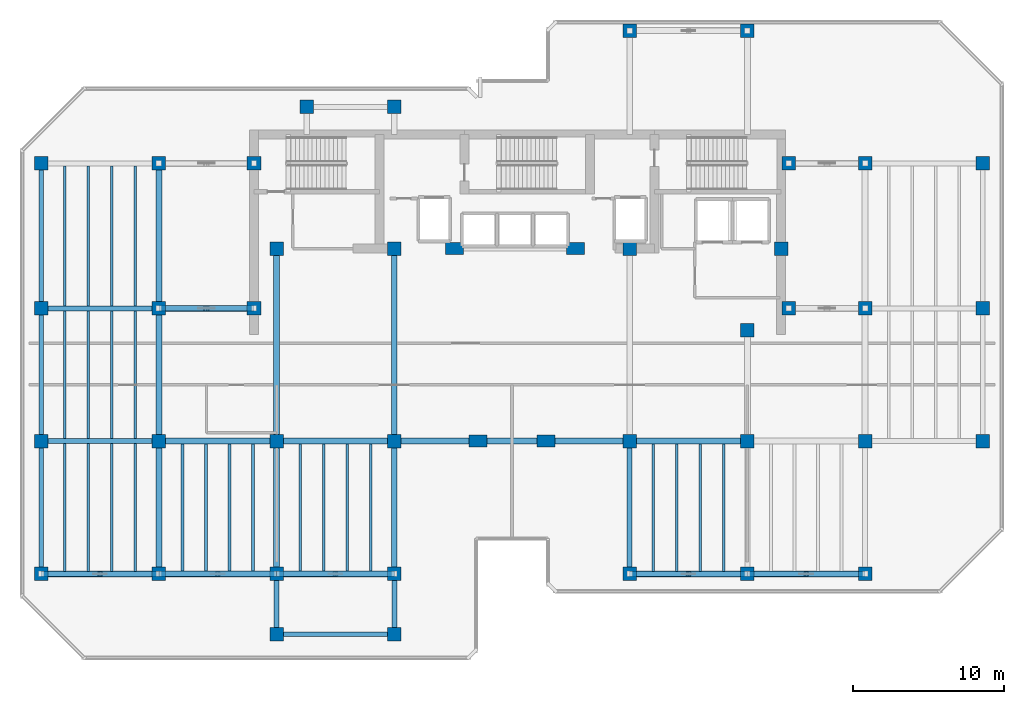
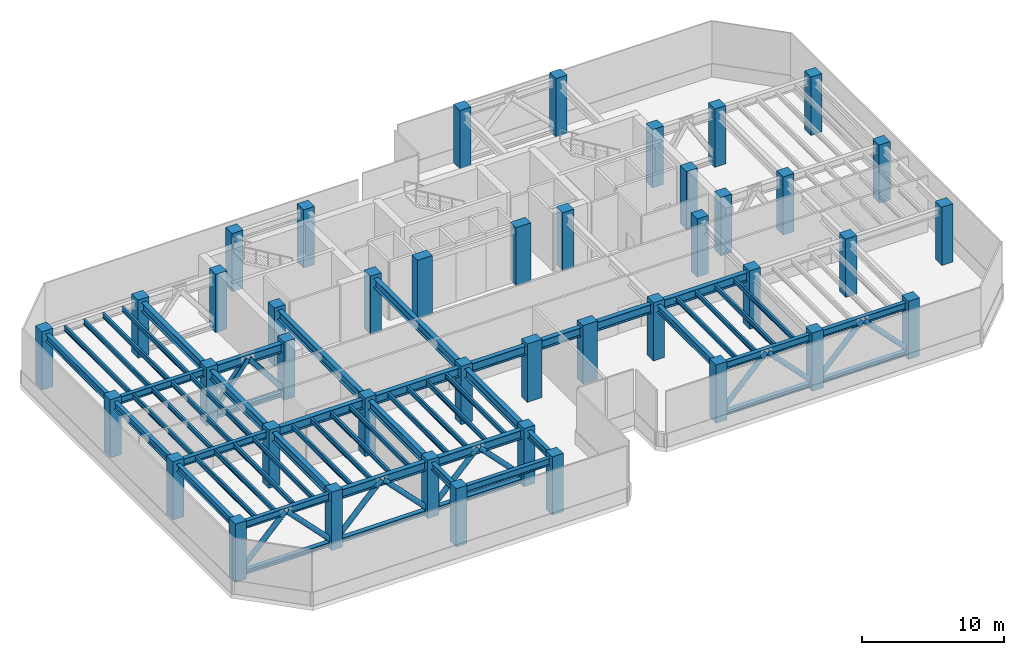
# One storey, part 1 of 9: 52 beams, 42 columns, 18 members.
"""IFC4 building model written with IfcOpenShell, lengths in metres."""

from ifc_helpers import new_model, si_unit, direction, frame, origin, origin_2d, place, context, subcontext, project, spatial, rectangle, hollow_rectangle, hollow_circle, i_section, extrude, material, material_profile, profile_set, type_object, element, save


model = new_model("IFC4")

# Units and contexts
model_context = context("Model", 3, precision=1e-05, world=origin(), true_north=direction((0.0, 1.0)))
body_context = subcontext(model_context, "Body", "Model", "MODEL_VIEW")
ifc_project = project(units=[si_unit("LENGTHUNIT", "METRE"), si_unit("AREAUNIT", "SQUARE_METRE"), si_unit("VOLUMEUNIT", "CUBIC_METRE"), si_unit("PLANEANGLEUNIT", "RADIAN"), si_unit("MASSUNIT", "GRAM", prefix="KILO")], contexts=[model_context])

# Site, building, storey
site_placement = place(None, origin())
site = spatial("IfcSite", under=ifc_project, at=site_placement, CompositionType="ELEMENT")
building_placement = place(site_placement, origin())
building = spatial("IfcBuilding", under=site, at=building_placement, Name="Kestravale Grand Hotel", CompositionType="ELEMENT")
storey_placement = place(building_placement, frame((0.0, 0.0, 240.39990234375)))
storey = spatial("IfcBuildingStorey", under=building, at=storey_placement, Name="L60", CompositionType="ELEMENT", Elevation=240.39990234375)

# Columns
ifc_material_1 = material(Name="Concrete f'c 60 MPa", Category="concrete")
ifc_material_profile_1 = material_profile(ifc_material_1, rectangle(XDim=1.199951171875, YDim=0.800048828125, at=origin_2d()))
ifc_profile_set_1 = profile_set([ifc_material_profile_1], Name="Concrete f'c 60 MPa")
column_type_1 = type_object("IfcColumnType", Name="C-Z3-1200X800", PredefinedType="COLUMN", material=ifc_profile_set_1)
for number, where, z_axis, x_axis, name in (
    (1, (36.75, 20.0, 0.0), (0.0, 0.0, 1.0), (1.0, 0.0, 0.0), "L60 column 6-D"),
    (2, (41.25, 20.0, 0.0), (0.0, 0.0, 1.0), (1.0, 0.0, 0.0), "L60 column 7-D"),
    (3, (35.199951171875, 32.75, 0.0), (0.0, 0.0, 1.0), (1.0, 0.0, 0.0), "L60 column 6C-CS"),
    (4, (43.199951171875, 32.75, 0.0), (0.0, 0.0, 1.0), (1.0, 0.0, 0.0), "L60 column 7C-CS"),
):
    element("IfcColumn", number, at=place(storey_placement, frame(where, z_axis=z_axis, x_axis=x_axis)), inside=storey, type_object=column_type_1, Name=name, PredefinedType="COLUMN", context=body_context, shape_type="SweptSolid", body=[
        extrude(rectangle(XDim=1.199951171875, YDim=0.800048828125, at=origin_2d()), origin(), (0.0, 0.0, 1.0), 5.0),
    ])
ifc_material_2 = material(Name="Concrete f'c 50 MPa", Category="concrete")
ifc_material_profile_2 = material_profile(ifc_material_2, rectangle(XDim=0.89990234375, YDim=0.89990234375, at=origin_2d()))
ifc_profile_set_2 = profile_set([ifc_material_profile_2], Name="Concrete f'c 50 MPa")
column_type_2 = type_object("IfcColumnType", Name="C-Z4-900", PredefinedType="COLUMN", material=ifc_profile_set_2)
for number, where, z_axis, x_axis, name in (
    (5, (7.800048828125, 11.199951171875, 0.0), (0.0, 0.0, 1.0), (1.0, 0.0, 0.0), "L60 column 2-C"),
    (6, (7.800048828125, 20.0, 0.0), (0.0, 0.0, 1.0), (1.0, 0.0, 0.0), "L60 column 2-D"),
    (7, (7.800048828125, 28.800048828125, 0.0), (0.0, 0.0, 1.0), (1.0, 0.0, 0.0), "L60 column 2-E"),
    (8, (7.800048828125, 38.39990234375, 0.0), (0.0, 0.0, 1.0), (1.0, 0.0, 0.0), "L60 column 2-F"),
    (9, (15.60009765625, 11.199951171875, 0.0), (0.0, 0.0, 1.0), (1.0, 0.0, 0.0), "L60 column 3-C"),
    (10, (15.60009765625, 20.0, 0.0), (0.0, 0.0, 1.0), (1.0, 0.0, 0.0), "L60 column 3-D"),
    (11, (15.60009765625, 28.800048828125, 0.0), (0.0, 0.0, 1.0), (1.0, 0.0, 0.0), "L60 column 3-E"),
    (12, (15.60009765625, 38.39990234375, 0.0), (0.0, 0.0, 1.0), (1.0, 0.0, 0.0), "L60 column 3-F"),
    (13, (23.39990234375, 11.199951171875, 0.0), (0.0, 0.0, 1.0), (1.0, 0.0, 0.0), "L60 column 4-C"),
    (14, (23.39990234375, 20.0, 0.0), (0.0, 0.0, 1.0), (1.0, 0.0, 0.0), "L60 column 4-D"),
    (15, (31.199951171875, 11.199951171875, 0.0), (0.0, 0.0, 1.0), (1.0, 0.0, 0.0), "L60 column 5-C"),
    (16, (31.199951171875, 20.0, 0.0), (0.0, 0.0, 1.0), (1.0, 0.0, 0.0), "L60 column 5-D"),
    (17, (46.800048828125, 11.199951171875, 0.0), (0.0, 0.0, 1.0), (1.0, 0.0, 0.0), "L60 column 8-C"),
    (18, (46.800048828125, 20.0, 0.0), (0.0, 0.0, 1.0), (1.0, 0.0, 0.0), "L60 column 8-D"),
    (19, (46.800048828125, 47.199951171875, 0.0), (0.0, 0.0, 1.0), (1.0, 0.0, 0.0), "L60 column 8-G"),
    (20, (54.60009765625, 11.199951171875, 0.0), (0.0, 0.0, 1.0), (1.0, 0.0, 0.0), "L60 column 9-C"),
    (21, (54.60009765625, 20.0, 0.0), (0.0, 0.0, 1.0), (1.0, 0.0, 0.0), "L60 column 9-D"),
    (22, (54.60009765625, 47.199951171875, 0.0), (0.0, 0.0, 1.0), (1.0, 0.0, 0.0), "L60 column 9-G"),
    (23, (62.39990234375, 11.199951171875, 0.0), (0.0, 0.0, 1.0), (1.0, 0.0, 0.0), "L60 column 10-C"),
    (24, (62.39990234375, 20.0, 0.0), (0.0, 0.0, 1.0), (1.0, 0.0, 0.0), "L60 column 10-D"),
    (25, (62.39990234375, 28.800048828125, 0.0), (0.0, 0.0, 1.0), (1.0, 0.0, 0.0), "L60 column 10-E"),
    (26, (62.39990234375, 38.39990234375, 0.0), (0.0, 0.0, 1.0), (1.0, 0.0, 0.0), "L60 column 10-F"),
    (27, (70.199951171875, 20.0, 0.0), (0.0, 0.0, 1.0), (1.0, 0.0, 0.0), "L60 column 11-D"),
    (28, (70.199951171875, 28.800048828125, 0.0), (0.0, 0.0, 1.0), (1.0, 0.0, 0.0), "L60 column 11-E"),
    (29, (70.199951171875, 38.39990234375, 0.0), (0.0, 0.0, 1.0), (1.0, 0.0, 0.0), "L60 column 11-F"),
    (30, (21.89990234375, 28.800048828125, 0.0), (0.0, 0.0, 1.0), (1.0, 0.0, 0.0), "L60 column CW-E"),
    (31, (21.89990234375, 38.39990234375, 0.0), (0.0, 0.0, 1.0), (1.0, 0.0, 0.0), "L60 column CW-F"),
    (32, (57.35009765625, 28.800048828125, 0.0), (0.0, 0.0, 1.0), (1.0, 0.0, 0.0), "L60 column CE-E"),
    (33, (57.35009765625, 38.39990234375, 0.0), (0.0, 0.0, 1.0), (1.0, 0.0, 0.0), "L60 column CE-F"),
    (34, (23.39990234375, 32.75, 0.0), (0.0, 0.0, 1.0), (1.0, 0.0, 0.0), "L60 column 4-CS"),
    (35, (31.199951171875, 32.75, 0.0), (0.0, 0.0, 1.0), (1.0, 0.0, 0.0), "L60 column 5-CS"),
    (36, (46.800048828125, 32.75, 0.0), (0.0, 0.0, 1.0), (1.0, 0.0, 0.0), "L60 column 8-CS"),
    (37, (54.60009765625, 27.35009765625, 0.0), (0.0, 0.0, 1.0), (1.0, 0.0, 0.0), "L60 column 9-CS"),
    (38, (56.85009765625, 32.75, 0.0), (0.0, 0.0, 1.0), (1.0, 0.0, 0.0), "L60 column 9C-CS"),
    (39, (23.39990234375, 7.199951171875, 0.0), (0.0, 0.0, 1.0), (1.0, 0.0, 0.0), "L60 column 4-BS"),
    (40, (31.199951171875, 7.199951171875, 0.0), (0.0, 0.0, 1.0), (1.0, 0.0, 0.0), "L60 column 5-BS"),
    (41, (25.39990234375, 42.14990234375, 0.0), (0.0, 0.0, 1.0), (1.0, 0.0, 0.0), "L60 column 4-FN"),
    (42, (31.199951171875, 42.14990234375, 0.0), (0.0, 0.0, 1.0), (1.0, 0.0, 0.0), "L60 column 5-FN"),
):
    element("IfcColumn", number, at=place(storey_placement, frame(where, z_axis=z_axis, x_axis=x_axis)), inside=storey, type_object=column_type_2, Name=name, PredefinedType="COLUMN", context=body_context, shape_type="SweptSolid", body=[
        extrude(rectangle(XDim=0.89990234375, YDim=0.89990234375, at=origin_2d()), origin(), (0.0, 0.0, 1.0), 5.0),
    ])

# Beams
ifc_material_3 = material(Name="Steel ASTM A992 Grade 50", Category="steel")
ifc_material_profile_3 = material_profile(ifc_material_3, i_section(OverallWidth=0.177978515625, OverallDepth=0.404052734375, WebThickness=0.007568359375, FlangeThickness=0.010986328125, FilletRadius=0.01416015625, at=origin_2d()))
ifc_profile_set_3 = profile_set([ifc_material_profile_3], Name="Steel ASTM A992 Grade 50")
beam_type_1 = type_object("IfcBeamType", Name="B-FLR-JST16", PredefinedType="JOIST", material=ifc_profile_set_3)
for number, where, z_axis, x_axis, name in (
    (43, (9.360107421875, 11.362548828125, 4.508056640625), (0.0, 1.0, 0.0), (-1.0, 0.0, 0.0), "L60 floor joist 2-3/C-D #1"),
    (44, (10.919921875, 11.362548828125, 4.508056640625), (0.0, 1.0, 0.0), (-1.0, 0.0, 0.0), "L60 floor joist 2-3/C-D #2"),
    (45, (12.47998046875, 11.362548828125, 4.508056640625), (0.0, 1.0, 0.0), (-1.0, 0.0, 0.0), "L60 floor joist 2-3/C-D #3"),
    (46, (14.0400390625, 11.362548828125, 4.508056640625), (0.0, 1.0, 0.0), (-1.0, 0.0, 0.0), "L60 floor joist 2-3/C-D #4"),
    (47, (9.360107421875, 20.16259765625, 4.508056640625), (0.0, 1.0, 0.0), (-1.0, 0.0, 0.0), "L60 floor joist 2-3/D-E #1"),
    (48, (10.919921875, 20.16259765625, 4.508056640625), (0.0, 1.0, 0.0), (-1.0, 0.0, 0.0), "L60 floor joist 2-3/D-E #2"),
    (49, (12.47998046875, 20.16259765625, 4.508056640625), (0.0, 1.0, 0.0), (-1.0, 0.0, 0.0), "L60 floor joist 2-3/D-E #3"),
    (50, (14.0400390625, 20.16259765625, 4.508056640625), (0.0, 1.0, 0.0), (-1.0, 0.0, 0.0), "L60 floor joist 2-3/D-E #4"),
):
    element("IfcBeam", number, at=place(storey_placement, frame(where, z_axis=z_axis, x_axis=x_axis)), inside=storey, type_object=beam_type_1, Name=name, PredefinedType="JOIST", context=body_context, shape_type="SweptSolid", body=[
        extrude(i_section(OverallWidth=0.177978515625, OverallDepth=0.404052734375, WebThickness=0.007568359375, FlangeThickness=0.010986328125, FilletRadius=0.01416015625, at=origin_2d()), origin(), (0.0, 0.0, 1.0), 8.474853515625),
    ])
for number, where, z_axis, x_axis, name in (
    (51, (9.360107421875, 28.96240234375, 4.508056640625), (0.0, 1.0, 0.0), (-1.0, 0.0, 0.0), "L60 floor joist 2-3/E-F #1"),
    (52, (10.919921875, 28.96240234375, 4.508056640625), (0.0, 1.0, 0.0), (-1.0, 0.0, 0.0), "L60 floor joist 2-3/E-F #2"),
    (53, (12.47998046875, 28.96240234375, 4.508056640625), (0.0, 1.0, 0.0), (-1.0, 0.0, 0.0), "L60 floor joist 2-3/E-F #3"),
    (54, (14.0400390625, 28.96240234375, 4.508056640625), (0.0, 1.0, 0.0), (-1.0, 0.0, 0.0), "L60 floor joist 2-3/E-F #4"),
):
    element("IfcBeam", number, at=place(storey_placement, frame(where, z_axis=z_axis, x_axis=x_axis)), inside=storey, type_object=beam_type_1, Name=name, PredefinedType="JOIST", context=body_context, shape_type="SweptSolid", body=[
        extrude(i_section(OverallWidth=0.177978515625, OverallDepth=0.404052734375, WebThickness=0.007568359375, FlangeThickness=0.010986328125, FilletRadius=0.01416015625, at=origin_2d()), origin(), (0.0, 0.0, 1.0), 9.275146484375),
    ])
for number, where, z_axis, x_axis, name in (
    (55, (17.159912109375, 11.390380859375, 4.508056640625), (0.0, 1.0, 0.0), (-1.0, 0.0, 0.0), "L60 floor joist 3-4/C-D #1"),
    (56, (18.719970703125, 11.390380859375, 4.508056640625), (0.0, 1.0, 0.0), (-1.0, 0.0, 0.0), "L60 floor joist 3-4/C-D #2"),
    (57, (20.280029296875, 11.390380859375, 4.508056640625), (0.0, 1.0, 0.0), (-1.0, 0.0, 0.0), "L60 floor joist 3-4/C-D #3"),
    (58, (21.840087890625, 11.390380859375, 4.508056640625), (0.0, 1.0, 0.0), (-1.0, 0.0, 0.0), "L60 floor joist 3-4/C-D #4"),
    (59, (24.9599609375, 11.390380859375, 4.508056640625), (0.0, 1.0, 0.0), (-1.0, 0.0, 0.0), "L60 floor joist 4-5/C-D #1"),
    (60, (26.52001953125, 11.390380859375, 4.508056640625), (0.0, 1.0, 0.0), (-1.0, 0.0, 0.0), "L60 floor joist 4-5/C-D #2"),
    (61, (28.080078125, 11.390380859375, 4.508056640625), (0.0, 1.0, 0.0), (-1.0, 0.0, 0.0), "L60 floor joist 4-5/C-D #3"),
    (62, (29.639892578125, 11.390380859375, 4.508056640625), (0.0, 1.0, 0.0), (-1.0, 0.0, 0.0), "L60 floor joist 4-5/C-D #4"),
):
    element("IfcBeam", number, at=place(storey_placement, frame(where, z_axis=z_axis, x_axis=x_axis)), inside=storey, type_object=beam_type_1, Name=name, PredefinedType="JOIST", context=body_context, shape_type="SweptSolid", body=[
        extrude(i_section(OverallWidth=0.177978515625, OverallDepth=0.404052734375, WebThickness=0.007568359375, FlangeThickness=0.010986328125, FilletRadius=0.01416015625, at=origin_2d()), origin(), (0.0, 0.0, 1.0), 8.419189453125),
    ])
for number, where, z_axis, x_axis, name in (
    (63, (48.360107421875, 11.362548828125, 4.508056640625), (0.0, 1.0, 0.0), (-1.0, 0.0, 0.0), "L60 floor joist 8-9/C-D #1"),
    (64, (49.919921875, 11.362548828125, 4.508056640625), (0.0, 1.0, 0.0), (-1.0, 0.0, 0.0), "L60 floor joist 8-9/C-D #2"),
    (65, (51.47998046875, 11.362548828125, 4.508056640625), (0.0, 1.0, 0.0), (-1.0, 0.0, 0.0), "L60 floor joist 8-9/C-D #3"),
    (66, (53.0400390625, 11.362548828125, 4.508056640625), (0.0, 1.0, 0.0), (-1.0, 0.0, 0.0), "L60 floor joist 8-9/C-D #4"),
):
    element("IfcBeam", number, at=place(storey_placement, frame(where, z_axis=z_axis, x_axis=x_axis)), inside=storey, type_object=beam_type_1, Name=name, PredefinedType="JOIST", context=body_context, shape_type="SweptSolid", body=[
        extrude(i_section(OverallWidth=0.177978515625, OverallDepth=0.404052734375, WebThickness=0.007568359375, FlangeThickness=0.010986328125, FilletRadius=0.01416015625, at=origin_2d()), origin(), (0.0, 0.0, 1.0), 8.447021484375),
    ])
ifc_material_4 = material(Name="Steel ASTM A992 Grade 50", Category="steel")
ifc_material_profile_4 = material_profile(ifc_material_4, i_section(OverallWidth=0.324951171875, OverallDepth=0.612060546875, WebThickness=0.0126953125, FlangeThickness=0.01904296875, FilletRadius=0.018798828125, at=origin_2d()))
ifc_profile_set_4 = profile_set([ifc_material_profile_4], Name="Steel ASTM A992 Grade 50")
beam_type_2 = type_object("IfcBeamType", Name="B-FLR-W24A", PredefinedType="SPANDREL", material=ifc_profile_set_4)
for number, where, z_axis, x_axis, name in (
    (67, (7.800048828125, 11.199951171875, 4.404052734375), (1.0, 0.0, 0.0), (0.0, 1.0, 0.0), "L60 spandrel C:2-3"),
    (68, (46.800048828125, 11.199951171875, 4.404052734375), (1.0, 0.0, 0.0), (0.0, 1.0, 0.0), "L60 spandrel C:8-9"),
):
    element("IfcBeam", number, at=place(storey_placement, frame(where, z_axis=z_axis, x_axis=x_axis)), inside=storey, type_object=beam_type_2, Name=name, PredefinedType="SPANDREL", context=body_context, shape_type="SweptSolid", body=[
        extrude(i_section(OverallWidth=0.324951171875, OverallDepth=0.612060546875, WebThickness=0.0126953125, FlangeThickness=0.01904296875, FilletRadius=0.018798828125, at=origin_2d()), origin(), (0.0, 0.0, 1.0), 7.800048828125),
    ])
beam_1_placement = place(storey_placement, frame((54.60009765625, 11.199951171875, 4.404052734375), z_axis=(1.0, 0.0, 0.0), x_axis=(0.0, 1.0, 0.0)))
element("IfcBeam", 69, at=beam_1_placement, inside=storey, type_object=beam_type_2, Name="L60 spandrel C:9-10", PredefinedType="SPANDREL", context=body_context, shape_type="SweptSolid", body=[
    extrude(i_section(OverallWidth=0.324951171875, OverallDepth=0.612060546875, WebThickness=0.0126953125, FlangeThickness=0.01904296875, FilletRadius=0.018798828125, at=origin_2d()), origin(), (0.0, 0.0, 1.0), 7.7998046875),
])
for number, where, z_axis, x_axis, name in (
    (70, (7.800048828125, 20.0, 4.404052734375), (1.0, 0.0, 0.0), (0.0, 1.0, 0.0), "L60 spandrel D:2-3"),
    (71, (7.800048828125, 28.800048828125, 4.404052734375), (1.0, 0.0, 0.0), (0.0, 1.0, 0.0), "L60 spandrel E:2-3"),
    (72, (23.39990234375, 7.199951171875, 4.404052734375), (1.0, 0.0, 0.0), (0.0, 1.0, 0.0), "L60 perimeter tie spandrel BS:4-5"),
):
    element("IfcBeam", number, at=place(storey_placement, frame(where, z_axis=z_axis, x_axis=x_axis)), inside=storey, type_object=beam_type_2, Name=name, PredefinedType="SPANDREL", context=body_context, shape_type="SweptSolid", body=[
        extrude(i_section(OverallWidth=0.324951171875, OverallDepth=0.612060546875, WebThickness=0.0126953125, FlangeThickness=0.01904296875, FilletRadius=0.018798828125, at=origin_2d()), origin(), (0.0, 0.0, 1.0), 7.800048828125),
    ])
for number, where, z_axis, x_axis, name in (
    (73, (7.800048828125, 11.199951171875, 4.404052734375), (0.0, 1.0, 0.0), (-1.0, 0.0, 0.0), "L60 spandrel 2:C-D"),
    (74, (7.800048828125, 20.0, 4.404052734375), (0.0, 1.0, 0.0), (-1.0, 0.0, 0.0), "L60 spandrel 2:D-E"),
):
    element("IfcBeam", number, at=place(storey_placement, frame(where, z_axis=z_axis, x_axis=x_axis)), inside=storey, type_object=beam_type_2, Name=name, PredefinedType="SPANDREL", context=body_context, shape_type="SweptSolid", body=[
        extrude(i_section(OverallWidth=0.324951171875, OverallDepth=0.612060546875, WebThickness=0.0126953125, FlangeThickness=0.01904296875, FilletRadius=0.018798828125, at=origin_2d()), origin(), (0.0, 0.0, 1.0), 8.800048828125),
    ])
beam_2_placement = place(storey_placement, frame((7.800048828125, 28.800048828125, 4.404052734375), z_axis=(0.0, 1.0, 0.0), x_axis=(-1.0, 0.0, 0.0)))
element("IfcBeam", 75, at=beam_2_placement, inside=storey, type_object=beam_type_2, Name="L60 spandrel 2:E-F", PredefinedType="SPANDREL", context=body_context, shape_type="SweptSolid", body=[
    extrude(i_section(OverallWidth=0.324951171875, OverallDepth=0.612060546875, WebThickness=0.0126953125, FlangeThickness=0.01904296875, FilletRadius=0.018798828125, at=origin_2d()), origin(), (0.0, 0.0, 1.0), 9.599853515625),
])
for number, where, z_axis, x_axis, name in (
    (76, (23.39990234375, 7.199951171875, 4.404052734375), (0.0, 1.0, 0.0), (-1.0, 0.0, 0.0), "L60 spandrel 4:BS-C"),
    (77, (31.199951171875, 7.199951171875, 4.404052734375), (0.0, 1.0, 0.0), (-1.0, 0.0, 0.0), "L60 spandrel 5:BS-C"),
):
    element("IfcBeam", number, at=place(storey_placement, frame(where, z_axis=z_axis, x_axis=x_axis)), inside=storey, type_object=beam_type_2, Name=name, PredefinedType="SPANDREL", context=body_context, shape_type="SweptSolid", body=[
        extrude(i_section(OverallWidth=0.324951171875, OverallDepth=0.612060546875, WebThickness=0.0126953125, FlangeThickness=0.01904296875, FilletRadius=0.018798828125, at=origin_2d()), origin(), (0.0, 0.0, 1.0), 4.0),
    ])
beam_3_placement = place(storey_placement, frame((46.800048828125, 11.199951171875, 4.404052734375), z_axis=(0.0, 1.0, 0.0), x_axis=(-1.0, 0.0, 0.0)))
element("IfcBeam", 78, at=beam_3_placement, inside=storey, type_object=beam_type_2, Name="L60 spandrel 8:C-D", PredefinedType="SPANDREL", context=body_context, shape_type="SweptSolid", body=[
    extrude(i_section(OverallWidth=0.324951171875, OverallDepth=0.612060546875, WebThickness=0.0126953125, FlangeThickness=0.01904296875, FilletRadius=0.018798828125, at=origin_2d()), origin(), (0.0, 0.0, 1.0), 8.800048828125),
])
ifc_material_5 = material(Name="Steel ASTM A992 Grade 50", Category="steel")
ifc_material_profile_5 = material_profile(ifc_material_5, i_section(OverallWidth=0.381103515625, OverallDepth=0.77197265625, WebThickness=0.0166015625, FlangeThickness=0.027099609375, FilletRadius=0.023681640625, at=origin_2d()))
ifc_profile_set_5 = profile_set([ifc_material_profile_5], Name="Steel ASTM A992 Grade 50")
beam_type_3 = type_object("IfcBeamType", Name="B-GRD-W30", PredefinedType="BEAM", material=ifc_profile_set_5)
beam_4_placement = place(storey_placement, frame((15.60009765625, 11.199951171875, 4.32421875), z_axis=(1.0, 0.0, 0.0), x_axis=(0.0, 1.0, 0.0)))
element("IfcBeam", 79, at=beam_4_placement, inside=storey, type_object=beam_type_3, Name="L60 girder C:3-4", PredefinedType="BEAM", context=body_context, shape_type="SweptSolid", body=[
    extrude(i_section(OverallWidth=0.381103515625, OverallDepth=0.77197265625, WebThickness=0.0166015625, FlangeThickness=0.027099609375, FilletRadius=0.023681640625, at=origin_2d()), origin(), (0.0, 0.0, 1.0), 7.7998046875),
])
beam_5_placement = place(storey_placement, frame((23.39990234375, 11.199951171875, 4.32421875), z_axis=(1.0, 0.0, 0.0), x_axis=(0.0, 1.0, 0.0)))
element("IfcBeam", 80, at=beam_5_placement, inside=storey, type_object=beam_type_3, Name="L60 girder C:4-5", PredefinedType="BEAM", context=body_context, shape_type="SweptSolid", body=[
    extrude(i_section(OverallWidth=0.381103515625, OverallDepth=0.77197265625, WebThickness=0.0166015625, FlangeThickness=0.027099609375, FilletRadius=0.023681640625, at=origin_2d()), origin(), (0.0, 0.0, 1.0), 7.800048828125),
])
beam_6_placement = place(storey_placement, frame((15.60009765625, 20.0, 4.32421875), z_axis=(1.0, 0.0, 0.0), x_axis=(0.0, 1.0, 0.0)))
element("IfcBeam", 81, at=beam_6_placement, inside=storey, type_object=beam_type_3, Name="L60 girder D:3-4", PredefinedType="BEAM", context=body_context, shape_type="SweptSolid", body=[
    extrude(i_section(OverallWidth=0.381103515625, OverallDepth=0.77197265625, WebThickness=0.0166015625, FlangeThickness=0.027099609375, FilletRadius=0.023681640625, at=origin_2d()), origin(), (0.0, 0.0, 1.0), 7.7998046875),
])
beam_7_placement = place(storey_placement, frame((23.39990234375, 20.0, 4.32421875), z_axis=(1.0, 0.0, 0.0), x_axis=(0.0, 1.0, 0.0)))
element("IfcBeam", 82, at=beam_7_placement, inside=storey, type_object=beam_type_3, Name="L60 girder D:4-5", PredefinedType="BEAM", context=body_context, shape_type="SweptSolid", body=[
    extrude(i_section(OverallWidth=0.381103515625, OverallDepth=0.77197265625, WebThickness=0.0166015625, FlangeThickness=0.027099609375, FilletRadius=0.023681640625, at=origin_2d()), origin(), (0.0, 0.0, 1.0), 7.800048828125),
])
beam_8_placement = place(storey_placement, frame((31.199951171875, 20.0, 4.32421875), z_axis=(1.0, 0.0, 0.0), x_axis=(0.0, 1.0, 0.0)))
element("IfcBeam", 83, at=beam_8_placement, inside=storey, type_object=beam_type_3, Name="L60 girder D:5-6", PredefinedType="BEAM", context=body_context, shape_type="SweptSolid", body=[
    extrude(i_section(OverallWidth=0.381103515625, OverallDepth=0.77197265625, WebThickness=0.0166015625, FlangeThickness=0.027099609375, FilletRadius=0.023681640625, at=origin_2d()), origin(), (0.0, 0.0, 1.0), 5.550048828125),
])
beam_9_placement = place(storey_placement, frame((36.75, 20.0, 4.32421875), z_axis=(1.0, 0.0, 0.0), x_axis=(0.0, 1.0, 0.0)))
element("IfcBeam", 84, at=beam_9_placement, inside=storey, type_object=beam_type_3, Name="L60 girder D:6-7", PredefinedType="BEAM", context=body_context, shape_type="SweptSolid", body=[
    extrude(i_section(OverallWidth=0.381103515625, OverallDepth=0.77197265625, WebThickness=0.0166015625, FlangeThickness=0.027099609375, FilletRadius=0.023681640625, at=origin_2d()), origin(), (0.0, 0.0, 1.0), 4.5),
])
beam_10_placement = place(storey_placement, frame((41.25, 20.0, 4.32421875), z_axis=(1.0, 0.0, 0.0), x_axis=(0.0, 1.0, 0.0)))
element("IfcBeam", 85, at=beam_10_placement, inside=storey, type_object=beam_type_3, Name="L60 girder D:7-8", PredefinedType="BEAM", context=body_context, shape_type="SweptSolid", body=[
    extrude(i_section(OverallWidth=0.381103515625, OverallDepth=0.77197265625, WebThickness=0.0166015625, FlangeThickness=0.027099609375, FilletRadius=0.023681640625, at=origin_2d()), origin(), (0.0, 0.0, 1.0), 5.550048828125),
])
beam_11_placement = place(storey_placement, frame((46.800048828125, 20.0, 4.32421875), z_axis=(1.0, 0.0, 0.0), x_axis=(0.0, 1.0, 0.0)))
element("IfcBeam", 86, at=beam_11_placement, inside=storey, type_object=beam_type_3, Name="L60 girder D:8-9", PredefinedType="BEAM", context=body_context, shape_type="SweptSolid", body=[
    extrude(i_section(OverallWidth=0.381103515625, OverallDepth=0.77197265625, WebThickness=0.0166015625, FlangeThickness=0.027099609375, FilletRadius=0.023681640625, at=origin_2d()), origin(), (0.0, 0.0, 1.0), 7.800048828125),
])
beam_12_placement = place(storey_placement, frame((15.60009765625, 28.800048828125, 4.32421875), z_axis=(1.0, 0.0, 0.0), x_axis=(0.0, 1.0, 0.0)))
element("IfcBeam", 87, at=beam_12_placement, inside=storey, type_object=beam_type_3, Name="L60 girder E:3-CW", PredefinedType="BEAM", context=body_context, shape_type="SweptSolid", body=[
    extrude(i_section(OverallWidth=0.381103515625, OverallDepth=0.77197265625, WebThickness=0.0166015625, FlangeThickness=0.027099609375, FilletRadius=0.023681640625, at=origin_2d()), origin(), (0.0, 0.0, 1.0), 6.2998046875),
])
for number, where, z_axis, x_axis, name in (
    (88, (15.60009765625, 11.199951171875, 4.32421875), (0.0, 1.0, 0.0), (-1.0, 0.0, 0.0), "L60 girder 3:C-D"),
    (89, (15.60009765625, 20.0, 4.32421875), (0.0, 1.0, 0.0), (-1.0, 0.0, 0.0), "L60 girder 3:D-E"),
):
    element("IfcBeam", number, at=place(storey_placement, frame(where, z_axis=z_axis, x_axis=x_axis)), inside=storey, type_object=beam_type_3, Name=name, PredefinedType="BEAM", context=body_context, shape_type="SweptSolid", body=[
        extrude(i_section(OverallWidth=0.381103515625, OverallDepth=0.77197265625, WebThickness=0.0166015625, FlangeThickness=0.027099609375, FilletRadius=0.023681640625, at=origin_2d()), origin(), (0.0, 0.0, 1.0), 8.800048828125),
    ])
beam_13_placement = place(storey_placement, frame((15.60009765625, 28.800048828125, 4.32421875), z_axis=(0.0, 1.0, 0.0), x_axis=(-1.0, 0.0, 0.0)))
element("IfcBeam", 90, at=beam_13_placement, inside=storey, type_object=beam_type_3, Name="L60 girder 3:E-F", PredefinedType="BEAM", context=body_context, shape_type="SweptSolid", body=[
    extrude(i_section(OverallWidth=0.381103515625, OverallDepth=0.77197265625, WebThickness=0.0166015625, FlangeThickness=0.027099609375, FilletRadius=0.023681640625, at=origin_2d()), origin(), (0.0, 0.0, 1.0), 9.599853515625),
])
beam_14_placement = place(storey_placement, frame((23.39990234375, 11.199951171875, 4.32421875), z_axis=(0.0, 1.0, 0.0), x_axis=(-1.0, 0.0, 0.0)))
element("IfcBeam", 91, at=beam_14_placement, inside=storey, type_object=beam_type_3, Name="L60 girder 4:C-D", PredefinedType="BEAM", context=body_context, shape_type="SweptSolid", body=[
    extrude(i_section(OverallWidth=0.381103515625, OverallDepth=0.77197265625, WebThickness=0.0166015625, FlangeThickness=0.027099609375, FilletRadius=0.023681640625, at=origin_2d()), origin(), (0.0, 0.0, 1.0), 8.800048828125),
])
beam_15_placement = place(storey_placement, frame((23.39990234375, 20.0, 4.32421875), z_axis=(0.0, 1.0, 0.0), x_axis=(-1.0, 0.0, 0.0)))
element("IfcBeam", 92, at=beam_15_placement, inside=storey, type_object=beam_type_3, Name="L60 girder 4:D-CS", PredefinedType="BEAM", context=body_context, shape_type="SweptSolid", body=[
    extrude(i_section(OverallWidth=0.381103515625, OverallDepth=0.77197265625, WebThickness=0.0166015625, FlangeThickness=0.027099609375, FilletRadius=0.023681640625, at=origin_2d()), origin(), (0.0, 0.0, 1.0), 12.75),
])
beam_16_placement = place(storey_placement, frame((31.199951171875, 11.199951171875, 4.32421875), z_axis=(0.0, 1.0, 0.0), x_axis=(-1.0, 0.0, 0.0)))
element("IfcBeam", 93, at=beam_16_placement, inside=storey, type_object=beam_type_3, Name="L60 girder 5:C-D", PredefinedType="BEAM", context=body_context, shape_type="SweptSolid", body=[
    extrude(i_section(OverallWidth=0.381103515625, OverallDepth=0.77197265625, WebThickness=0.0166015625, FlangeThickness=0.027099609375, FilletRadius=0.023681640625, at=origin_2d()), origin(), (0.0, 0.0, 1.0), 8.800048828125),
])
beam_17_placement = place(storey_placement, frame((31.199951171875, 20.0, 4.32421875), z_axis=(0.0, 1.0, 0.0), x_axis=(-1.0, 0.0, 0.0)))
element("IfcBeam", 94, at=beam_17_placement, inside=storey, type_object=beam_type_3, Name="L60 girder 5:D-CS", PredefinedType="BEAM", context=body_context, shape_type="SweptSolid", body=[
    extrude(i_section(OverallWidth=0.381103515625, OverallDepth=0.77197265625, WebThickness=0.0166015625, FlangeThickness=0.027099609375, FilletRadius=0.023681640625, at=origin_2d()), origin(), (0.0, 0.0, 1.0), 12.75),
])

# Members
ifc_material_6 = material(Name="Steel ASTM A992 Grade 50", Category="steel")
ifc_material_profile_6 = material_profile(ifc_material_6, i_section(OverallWidth=0.373046875, OverallDepth=0.373046875, WebThickness=0.016357421875, FlangeThickness=0.026123046875, FilletRadius=0.016845703125, at=origin_2d()))
ifc_profile_set_6 = profile_set([ifc_material_profile_6], Name="Steel ASTM A992 Grade 50")
member_type_1 = type_object("IfcMemberType", Name="M-BLT-CHD132", PredefinedType="CHORD", material=ifc_profile_set_6)
member_1_placement = place(storey_placement, frame((7.800048828125, 11.199951171875, 0.35009765625), z_axis=(1.0, 0.0, 0.0), x_axis=(0.0, 1.0, 0.0)))
element("IfcMember", 95, at=member_1_placement, inside=storey, type_object=member_type_1, Name="L60 belt truss bottom chord C:2-3", PredefinedType="CHORD", context=body_context, shape_type="SweptSolid", body=[
    extrude(i_section(OverallWidth=0.373046875, OverallDepth=0.373046875, WebThickness=0.016357421875, FlangeThickness=0.026123046875, FilletRadius=0.016845703125, at=origin_2d()), origin(), (0.0, 0.0, 1.0), 7.800048828125),
])
member_2_placement = place(storey_placement, frame((15.60009765625, 11.199951171875, 0.35009765625), z_axis=(1.0, 0.0, 0.0), x_axis=(0.0, 1.0, 0.0)))
element("IfcMember", 96, at=member_2_placement, inside=storey, type_object=member_type_1, Name="L60 belt truss bottom chord C:3-4", PredefinedType="CHORD", context=body_context, shape_type="SweptSolid", body=[
    extrude(i_section(OverallWidth=0.373046875, OverallDepth=0.373046875, WebThickness=0.016357421875, FlangeThickness=0.026123046875, FilletRadius=0.016845703125, at=origin_2d()), origin(), (0.0, 0.0, 1.0), 7.7998046875),
])
for number, where, z_axis, x_axis, name in (
    (97, (23.39990234375, 11.199951171875, 0.35009765625), (1.0, 0.0, 0.0), (0.0, 1.0, 0.0), "L60 belt truss bottom chord C:4-5"),
    (98, (46.800048828125, 11.199951171875, 0.35009765625), (1.0, 0.0, 0.0), (0.0, 1.0, 0.0), "L60 belt truss bottom chord C:8-9"),
):
    element("IfcMember", number, at=place(storey_placement, frame(where, z_axis=z_axis, x_axis=x_axis)), inside=storey, type_object=member_type_1, Name=name, PredefinedType="CHORD", context=body_context, shape_type="SweptSolid", body=[
        extrude(i_section(OverallWidth=0.373046875, OverallDepth=0.373046875, WebThickness=0.016357421875, FlangeThickness=0.026123046875, FilletRadius=0.016845703125, at=origin_2d()), origin(), (0.0, 0.0, 1.0), 7.800048828125),
    ])
member_3_placement = place(storey_placement, frame((54.60009765625, 11.199951171875, 0.35009765625), z_axis=(1.0, 0.0, 0.0), x_axis=(0.0, 1.0, 0.0)))
element("IfcMember", 99, at=member_3_placement, inside=storey, type_object=member_type_1, Name="L60 belt truss bottom chord C:9-10", PredefinedType="CHORD", context=body_context, shape_type="SweptSolid", body=[
    extrude(i_section(OverallWidth=0.373046875, OverallDepth=0.373046875, WebThickness=0.016357421875, FlangeThickness=0.026123046875, FilletRadius=0.016845703125, at=origin_2d()), origin(), (0.0, 0.0, 1.0), 7.7998046875),
])
ifc_material_7 = material(Name="Steel ASTM A992 Grade 50", Category="steel")
ifc_material_profile_7 = material_profile(ifc_material_7, i_section(OverallWidth=0.39892578125, OverallDepth=0.39404296875, WebThickness=0.022705078125, FlangeThickness=0.03662109375, FilletRadius=0.016357421875, at=origin_2d()))
ifc_profile_set_7 = profile_set([ifc_material_profile_7], Name="Steel ASTM A992 Grade 50")
member_type_2 = type_object("IfcMemberType", Name="M-BLT-CHD193", PredefinedType="CHORD", material=ifc_profile_set_7)
member_4_placement = place(storey_placement, frame((15.60009765625, 28.800048828125, 0.35009765625), z_axis=(1.0, 0.0, 0.0), x_axis=(0.0, 1.0, 0.0)))
element("IfcMember", 100, at=member_4_placement, inside=storey, type_object=member_type_2, Name="L60 west outrigger bottom chord E", PredefinedType="CHORD", context=body_context, shape_type="SweptSolid", body=[
    extrude(i_section(OverallWidth=0.39892578125, OverallDepth=0.39404296875, WebThickness=0.022705078125, FlangeThickness=0.03662109375, FilletRadius=0.016357421875, at=origin_2d()), origin(), (0.0, 0.0, 1.0), 6.2998046875),
])
ifc_material_8 = material(Name="Steel ASTM A500 Grade C", Category="steel")
ifc_material_profile_8 = material_profile(ifc_material_8, hollow_circle(Radius=0.203125, WallThickness=0.01611328125, at=origin_2d()))
ifc_profile_set_8 = profile_set([ifc_material_profile_8], Name="Steel ASTM A500 Grade C")
member_type_3 = type_object("IfcMemberType", Name="M-BLT-CHS406", PredefinedType="BRACE", material=ifc_profile_set_8)
for number, where, z_axis, x_axis, name in (
    (101, (7.800048828125, 11.199951171875, 0.35009765625), (0.694897607575, 0.0, 0.719108694835), (0.0, 1.0, 0.0), "L60 belt truss diagonal C:2-3 L"),
    (102, (15.60009765625, 11.199951171875, 0.35009765625), (-0.694897607575, 0.0, 0.719108694835), (0.0, -1.0, 0.0), "L60 belt truss diagonal C:2-3 R"),
    (103, (15.60009765625, 11.199951171875, 0.35009765625), (0.694897607575, 0.0, 0.719108694835), (0.0, 1.0, 0.0), "L60 belt truss diagonal C:3-4 L"),
    (104, (23.39990234375, 11.199951171875, 0.35009765625), (-0.694897607575, 0.0, 0.719108694835), (0.0, -1.0, 0.0), "L60 belt truss diagonal C:3-4 R"),
    (105, (23.39990234375, 11.199951171875, 0.35009765625), (0.694897607575, 0.0, 0.719108694835), (0.0, 1.0, 0.0), "L60 belt truss diagonal C:4-5 L"),
    (106, (31.199951171875, 11.199951171875, 0.35009765625), (-0.694897607575, 0.0, 0.719108694835), (0.0, -1.0, 0.0), "L60 belt truss diagonal C:4-5 R"),
    (107, (46.800048828125, 11.199951171875, 0.35009765625), (0.694897607575, 0.0, 0.719108694835), (0.0, 1.0, 0.0), "L60 belt truss diagonal C:8-9 L"),
    (108, (54.60009765625, 11.199951171875, 0.35009765625), (-0.694897607575, 0.0, 0.719108694835), (0.0, -1.0, 0.0), "L60 belt truss diagonal C:8-9 R"),
    (109, (54.60009765625, 11.199951171875, 0.35009765625), (0.694897607575, 0.0, 0.719108694835), (0.0, 1.0, 0.0), "L60 belt truss diagonal C:9-10 L"),
    (110, (62.39990234375, 11.199951171875, 0.35009765625), (-0.694897607575, 0.0, 0.719108694835), (0.0, -1.0, 0.0), "L60 belt truss diagonal C:9-10 R"),
):
    element("IfcMember", number, at=place(storey_placement, frame(where, z_axis=z_axis, x_axis=x_axis)), inside=storey, type_object=member_type_3, Name=name, PredefinedType="BRACE", context=body_context, shape_type="SweptSolid", body=[
        extrude(hollow_circle(Radius=0.203125, WallThickness=0.01611328125, at=origin_2d()), origin(), (0.0, 0.0, 1.0), 5.576416015625),
    ])
ifc_material_9 = material(Name="Steel ASTM A500 Grade C", Category="steel")
ifc_material_profile_9 = material_profile(ifc_material_9, hollow_rectangle(XDim=0.39990234375, YDim=0.39990234375, WallThickness=0.02001953125, InnerFilletRadius=0.02001953125, OuterFilletRadius=0.0400390625, at=origin_2d()))
ifc_profile_set_9 = profile_set([ifc_material_profile_9], Name="Steel ASTM A500 Grade C")
member_type_4 = type_object("IfcMemberType", Name="M-OUT-HSS400", PredefinedType="BRACE", material=ifc_profile_set_9)
for number, where, z_axis, x_axis, name in (
    (111, (21.89990234375, 28.800048828125, 0.35009765625), (-0.614688381085, 0.0, 0.78877005151), (0.0, -1.0, 0.0), "L60 west outrigger brace E-1"),
    (112, (15.60009765625, 28.800048828125, 0.35009765625), (0.614688381085, 0.0, 0.78877005151), (0.0, 1.0, 0.0), "L60 west outrigger brace E-2"),
):
    element("IfcMember", number, at=place(storey_placement, frame(where, z_axis=z_axis, x_axis=x_axis)), inside=storey, type_object=member_type_4, Name=name, PredefinedType="BRACE", context=body_context, shape_type="SweptSolid", body=[
        extrude(hollow_rectangle(XDim=0.39990234375, YDim=0.39990234375, WallThickness=0.02001953125, InnerFilletRadius=0.02001953125, OuterFilletRadius=0.0400390625, at=origin_2d()), origin(), (0.0, 0.0, 1.0), 5.083984375),
    ])

save(model, "model.ifc")
